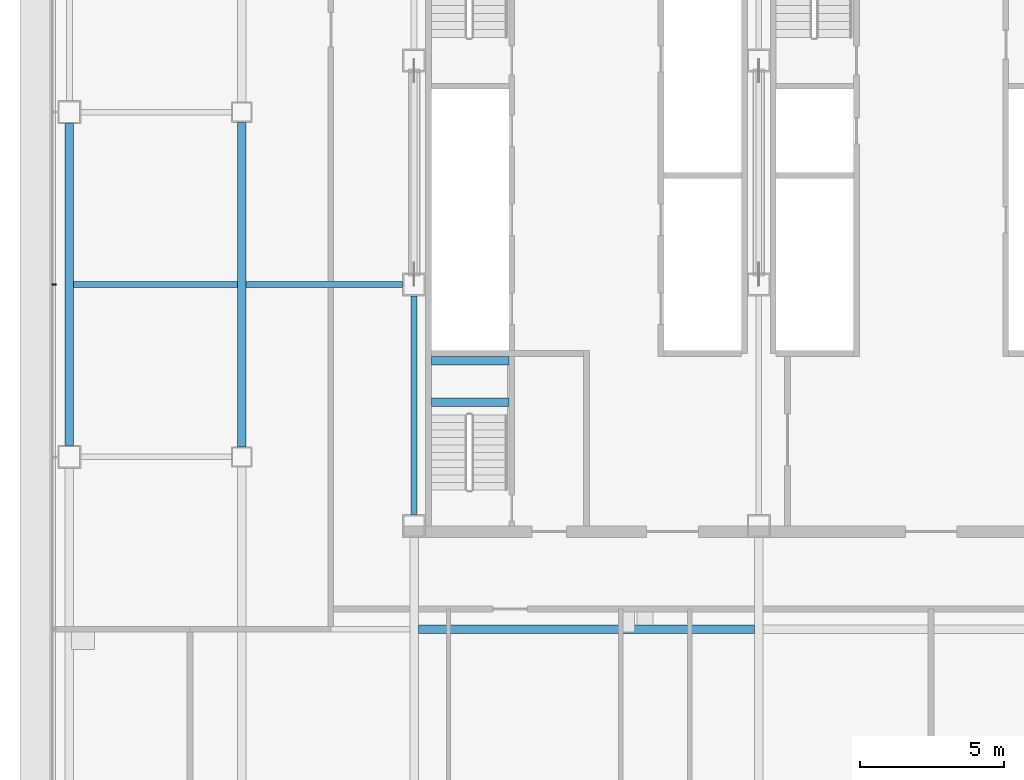
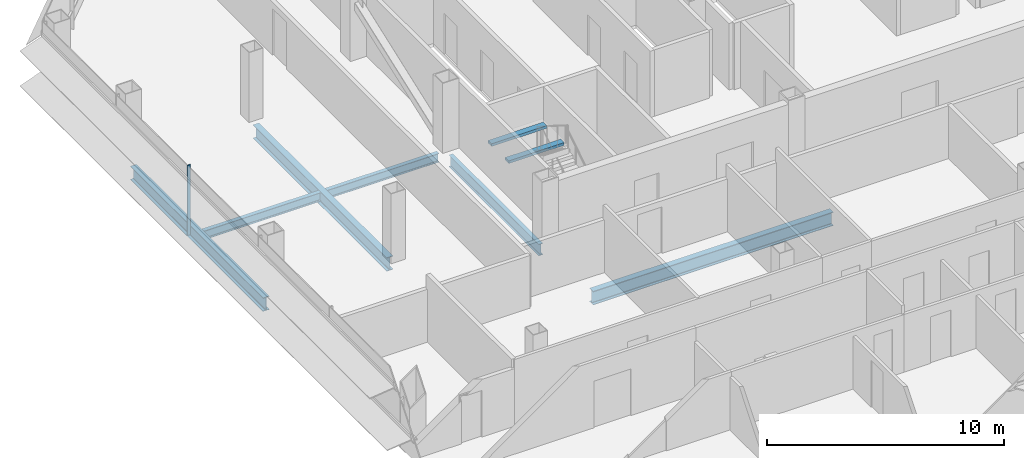
# One storey, part 6 of 25: 8 beams, 1 member, 1 element without a shape of its own.
"""IFC4 building model written with IfcOpenShell, lengths in metres."""

from ifc_helpers import new_model, si_unit, direction, frame, origin, origin_2d, place, context, subcontext, project, spatial, rectangle, i_section, extrude, material, material_profile, profile_set, type_object, element, aggregate, save


model = new_model("IFC4")

# Units and contexts
model_context = context("Model", 3, precision=1e-05, world=origin(), true_north=direction((0.0, 1.0)))
body_context = subcontext(model_context, "Body", "Model", "MODEL_VIEW")
ifc_project = project(units=[si_unit("LENGTHUNIT", "METRE"), si_unit("AREAUNIT", "SQUARE_METRE"), si_unit("VOLUMEUNIT", "CUBIC_METRE"), si_unit("PLANEANGLEUNIT", "RADIAN"), si_unit("MASSUNIT", "GRAM", prefix="KILO")], contexts=[model_context])

# Site, building, storey
site_placement = place(None, origin())
site = spatial("IfcSite", under=ifc_project, at=site_placement, CompositionType="ELEMENT")
building_placement = place(site_placement, origin())
building = spatial("IfcBuilding", under=site, at=building_placement, Name="Sorahane Residences", CompositionType="ELEMENT")
storey_placement = place(building_placement, frame((0.0, 0.0, 143.800048828125)))
storey = spatial("IfcBuildingStorey", under=building, at=storey_placement, Name="L32", CompositionType="ELEMENT", Elevation=143.800048828125)

# Curtain wall, member
ifc_material_1 = material(Name="Dark low-e glass and black anodised aluminium", Category="aluminium")
curtain_wall_type = type_object("IfcCurtainWallType", Name="Curtain wall CW-1 Typical unitised wall", PredefinedType="NOTDEFINED", material=ifc_material_1)
curtain_wall_placement = place(storey_placement, origin())
curtain_wall = element("IfcCurtainWall", 1, at=curtain_wall_placement, inside=storey, type_object=curtain_wall_type, Name="CW-1 curtain wall L32 W1", PredefinedType="NOTDEFINED")
ifc_material_2 = material(Name="Black anodised aluminium", Category="aluminium")
ifc_material_profile_1 = material_profile(ifc_material_2, rectangle(XDim=0.159912109375, YDim=0.050048828125, at=origin_2d()), Name="Curtain wall mullion CW-1 black anodised aluminium 50x160")
ifc_profile_set_1 = profile_set([ifc_material_profile_1], Name="Black anodised aluminium")
member_type = type_object("IfcMemberType", Name="Curtain wall mullion CW-1 black anodised aluminium 50x160", PredefinedType="MULLION", material=ifc_profile_set_1)
member_placement = place(storey_placement, frame((-6.5400390625, 30.0, -0.179931640625), z_axis=(0.0, 0.0, 1.0), x_axis=(-1.0, 0.0, 0.0)))
member = element("IfcMember", 2, at=member_placement, type_object=member_type, Name="CW-1 mullion L32 W1.3", PredefinedType="MULLION", context=body_context, shape_type="SweptSolid", body=[
    extrude(rectangle(XDim=0.159912109375, YDim=0.050048828125, at=origin_2d()), origin(), (0.0, 0.0, 1.0), 3.599853515625),
])
aggregate(curtain_wall, [member])

# Beams
ifc_material_3 = material(Name="Concrete C40", Category="concrete")
ifc_material_profile_2 = material_profile(ifc_material_3, rectangle(XDim=0.300048828125, YDim=0.139892578125, at=origin_2d()), Name="300x140")
ifc_profile_set_2 = profile_set([ifc_material_profile_2], Name="Concrete C40")
beam_type_1 = type_object("IfcBeamType", Name="RC landing beam 300 x 140 Concrete C40", PredefinedType="BEAM", material=ifc_profile_set_2)
for number, where, z_axis, x_axis, name in (
    (3, (6.60009765625, 25.89990234375, 1.530029296875), (1.0, 0.0, 0.0), (0.0, 1.0, 0.0), "Landing beam"),
    (4, (6.60009765625, 27.35009765625, 1.530029296875), (1.0, 0.0, 0.0), (0.0, 1.0, 0.0), "Landing beam"),
):
    element("IfcBeam", number, at=place(storey_placement, frame(where, z_axis=z_axis, x_axis=x_axis)), inside=storey, type_object=beam_type_1, Name=name, PredefinedType="BEAM", context=body_context, shape_type="SweptSolid", body=[
        extrude(rectangle(XDim=0.300048828125, YDim=0.139892578125, at=origin_2d()), origin(), (0.0, 0.0, 1.0), 2.699951171875),
    ])
ifc_material_4 = material(Name="Steel Q355B", Category="steel")
ifc_material_profile_3 = material_profile(ifc_material_4, i_section(OverallWidth=0.199951171875, OverallDepth=0.449951171875, WebThickness=0.009033203125, FlangeThickness=0.013916015625, FilletRadius=0.02001953125, at=origin_2d()), Name="HN 450x200x9x14")
ifc_profile_set_3 = profile_set([ifc_material_profile_3], Name="Steel Q355B")
beam_type_2 = type_object("IfcBeamType", Name="Steel floor beam HN 450x200x9x14 Q355B", PredefinedType="BEAM", material=ifc_profile_set_3)
beam_1_placement = place(storey_placement, frame((-5.85009765625, 30.0, -0.405029296875), z_axis=(1.0, 0.0, 0.0), x_axis=(0.0, 1.0, 0.0)))
element("IfcBeam", 5, at=beam_1_placement, inside=storey, type_object=beam_type_2, Name="Beam L32 085", PredefinedType="BEAM", context=body_context, shape_type="SweptSolid", body=[
    extrude(i_section(OverallWidth=0.199951171875, OverallDepth=0.449951171875, WebThickness=0.009033203125, FlangeThickness=0.013916015625, FilletRadius=0.02001953125, at=origin_2d()), origin(), (0.0, 0.0, 1.0), 5.7001953125),
])
beam_2_placement = place(storey_placement, frame((0.14990234375, 30.0, -0.405029296875), z_axis=(1.0, 0.0, 0.0), x_axis=(0.0, 1.0, 0.0)))
element("IfcBeam", 6, at=beam_2_placement, inside=storey, type_object=beam_type_2, Name="Beam L32 086", PredefinedType="BEAM", context=body_context, shape_type="SweptSolid", body=[
    extrude(i_section(OverallWidth=0.199951171875, OverallDepth=0.449951171875, WebThickness=0.009033203125, FlangeThickness=0.013916015625, FilletRadius=0.02001953125, at=origin_2d()), origin(), (0.0, 0.0, 1.0), 5.4501953125),
])
ifc_material_5 = material(Name="Steel Q355B", Category="steel")
ifc_material_profile_4 = material_profile(ifc_material_5, i_section(OverallWidth=0.199951171875, OverallDepth=0.60009765625, WebThickness=0.010986328125, FlangeThickness=0.01708984375, FilletRadius=0.02392578125, at=origin_2d()), Name="HN 600x200x11x17")
ifc_profile_set_4 = profile_set([ifc_material_profile_4], Name="Steel Q355B")
beam_type_3 = type_object("IfcBeamType", Name="Steel floor beam HN 600x200x11x17 Q355B", PredefinedType="BEAM", material=ifc_profile_set_4)
beam_3_placement = place(storey_placement, frame((6.0, 22.0, -0.47998046875), z_axis=(0.0, 1.0, 0.0), x_axis=(-1.0, 0.0, 0.0)))
element("IfcBeam", 7, at=beam_3_placement, inside=storey, type_object=beam_type_3, Name="Beam L32 030", PredefinedType="BEAM", context=body_context, shape_type="SweptSolid", body=[
    extrude(i_section(OverallWidth=0.199951171875, OverallDepth=0.60009765625, WebThickness=0.010986328125, FlangeThickness=0.01708984375, FilletRadius=0.02392578125, at=origin_2d()), origin(), (0.0, 0.0, 1.0), 7.60009765625),
])
ifc_material_6 = material(Name="Steel Q355B", Category="steel")
ifc_material_profile_5 = material_profile(ifc_material_6, i_section(OverallWidth=0.300048828125, OverallDepth=0.699951171875, WebThickness=0.012939453125, FlangeThickness=0.02392578125, FilletRadius=0.028076171875, at=origin_2d()), Name="HN 700x300x13x24")
ifc_profile_set_5 = profile_set([ifc_material_profile_5], Name="Steel Q355B")
beam_type_4 = type_object("IfcBeamType", Name="Steel floor beam HN 700x300x13x24 Q355B", PredefinedType="BEAM", material=ifc_profile_set_5)
beam_4_placement = place(storey_placement, frame((-6.0, 24.39990234375, -0.530029296875), z_axis=(0.0, 1.0, 0.0), x_axis=(-1.0, 0.0, 0.0)))
element("IfcBeam", 8, at=beam_4_placement, inside=storey, type_object=beam_type_4, Name="Beam L32 022", PredefinedType="BEAM", context=body_context, shape_type="SweptSolid", body=[
    extrude(i_section(OverallWidth=0.300048828125, OverallDepth=0.699951171875, WebThickness=0.012939453125, FlangeThickness=0.02392578125, FilletRadius=0.028076171875, at=origin_2d()), origin(), (0.0, 0.0, 1.0), 11.2001953125),
])
beam_5_placement = place(storey_placement, frame((0.0, 24.35009765625, -0.530029296875), z_axis=(0.0, 1.0, 0.0), x_axis=(-1.0, 0.0, 0.0)))
element("IfcBeam", 9, at=beam_5_placement, inside=storey, type_object=beam_type_4, Name="Beam L32 026", PredefinedType="BEAM", context=body_context, shape_type="SweptSolid", body=[
    extrude(i_section(OverallWidth=0.300048828125, OverallDepth=0.699951171875, WebThickness=0.012939453125, FlangeThickness=0.02392578125, FilletRadius=0.028076171875, at=origin_2d()), origin(), (0.0, 0.0, 1.0), 11.2998046875),
])
beam_6_placement = place(storey_placement, frame((6.14990234375, 18.0, -0.530029296875), z_axis=(1.0, 0.0, 0.0), x_axis=(0.0, 1.0, 0.0)))
element("IfcBeam", 10, at=beam_6_placement, inside=storey, type_object=beam_type_4, Name="Beam L32 080", PredefinedType="BEAM", context=body_context, shape_type="SweptSolid", body=[
    extrude(i_section(OverallWidth=0.300048828125, OverallDepth=0.699951171875, WebThickness=0.012939453125, FlangeThickness=0.02392578125, FilletRadius=0.028076171875, at=origin_2d()), origin(), (0.0, 0.0, 1.0), 11.7001953125),
])

save(model, "model.ifc")
